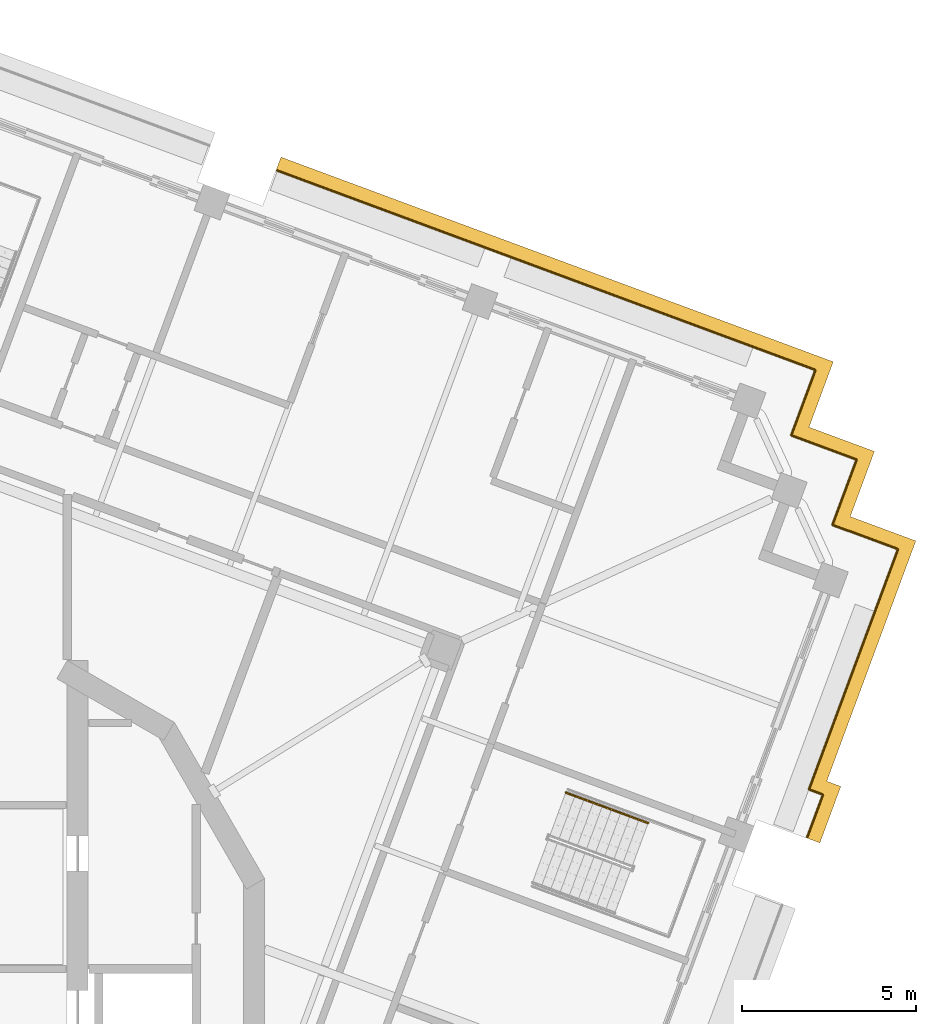
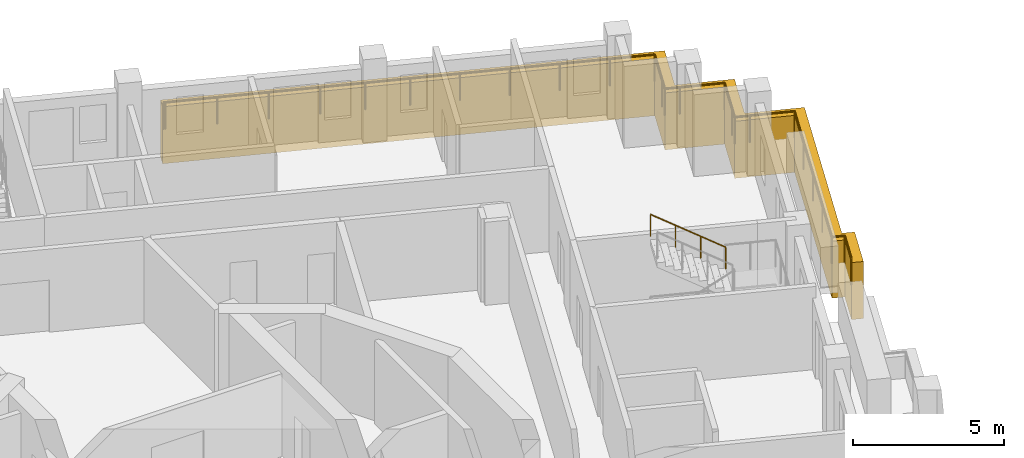
# One storey, part 17 of 18: 3 railings, 1 covering.
"""IFC4 building model written with IfcOpenShell, lengths in metres."""

from ifc_helpers import new_model, si_unit, direction, frame, origin, origin_2d, place, context, subcontext, project, spatial, polyline, circle, outline, extrude, material, type_object, element, save


model = new_model("IFC4")

# Units and contexts
model_context = context("Model", 3, precision=1e-05, world=origin(), true_north=direction((0.0, 1.0)))
body_context = subcontext(model_context, "Body", "Model", "MODEL_VIEW")
ifc_project = project(units=[si_unit("LENGTHUNIT", "METRE"), si_unit("AREAUNIT", "SQUARE_METRE"), si_unit("VOLUMEUNIT", "CUBIC_METRE"), si_unit("PLANEANGLEUNIT", "RADIAN"), si_unit("MASSUNIT", "GRAM", prefix="KILO")], contexts=[model_context])

# Site, building, storey
site_placement = place(None, origin())
site = spatial("IfcSite", under=ifc_project, at=site_placement, CompositionType="ELEMENT")
building_placement = place(site_placement, origin())
building = spatial("IfcBuilding", under=site, at=building_placement, Name="Cantera Rosa Tower", CompositionType="ELEMENT")
storey_placement = place(building_placement, frame((0.0, 0.0, 316.89990234375)))
storey = spatial("IfcBuildingStorey", under=building, at=storey_placement, Name="L70", CompositionType="ELEMENT", Elevation=316.89990234375)

# Railings
ifc_material_1 = material(Name="Stainless steel and laminated glass", Category="steel")
railing_type_1 = type_object("IfcRailingType", Name="GUARD 1100", PredefinedType="BALUSTRADE", material=ifc_material_1)
railing_1_placement = place(storey_placement, frame((26.113525390625, 13.198486328125, 0.0)))
element("IfcRailing", 1, at=railing_1_placement, inside=storey, type_object=railing_type_1, Name="GUARD L70-8", PredefinedType="BALUSTRADE", context=body_context, shape_type="SweptSolid", body=[
    extrude(circle(Radius=0.030029296875, at=origin_2d()), frame((0.0, 0.0, 1.070068359375), z_axis=(-0.347696042931, -0.937607306781, 0.0), x_axis=(0.937607306781, -0.347696042931, 0.0)), (0.0, 0.0, 1.0), 0.5),
    extrude(circle(Radius=0.030029296875, at=origin_2d()), frame((-0.173828125, -0.46875, 1.070068359375), z_axis=(0.937607306781, -0.347696042931, 0.0), x_axis=(0.347696042931, 0.937607306781, 0.0)), (0.0, 0.0, 1.0), 0.5),
    extrude(circle(Radius=0.030029296875, at=origin_2d()), frame((0.294921875, -0.642578125, 1.070068359375), z_axis=(0.378632845721, 0.925546956206, 0.0), x_axis=(-0.925546956206, 0.378632845721, 0.0)), (0.0, 0.0, 1.0), 0.005859375),
    extrude(circle(Radius=0.030029296875, at=origin_2d()), frame((0.297119140625, -0.63720703125, 1.070068359375), z_axis=(0.937688112969, -0.347478060884, 0.0), x_axis=(0.347478060884, 0.937688112969, 0.0)), (0.0, 0.0, 1.0), 1.505615234375),
    extrude(circle(Radius=0.030029296875, at=origin_2d()), frame((1.708984375, -1.160400390625, 1.070068359375), z_axis=(-0.347491761562, -0.93768303581, 0.0), x_axis=(0.93768303581, -0.347491761562, 0.0)), (0.0, 0.0, 1.0), 7.350341796875),
    extrude(circle(Radius=0.030029296875, at=origin_2d()), frame((-0.84521484375, -8.052734375, 1.070068359375), z_axis=(0.937584149048, -0.347758484374, 0.0), x_axis=(0.347758484374, 0.937584149048, 0.0)), (0.0, 0.0, 1.0), 0.4296875),
    extrude(circle(Radius=0.030029296875, at=origin_2d()), frame((-0.4423828125, -8.2021484375, 1.070068359375), z_axis=(-0.347533658579, -0.937667508318, 0.0), x_axis=(0.937667508318, -0.347533658579, 0.0)), (0.0, 0.0, 1.0), 1.30517578125),
    extrude(circle(Radius=0.02490234375, at=origin_2d()), origin(), (0.0, 0.0, 1.0), 1.0400390625),
    extrude(circle(Radius=0.02490234375, at=origin_2d()), frame((-0.173828125, -0.46875, 0.0)), (0.0, 0.0, 1.0), 1.0400390625),
    extrude(circle(Radius=0.02490234375, at=origin_2d()), frame((0.294921875, -0.642578125, 0.0)), (0.0, 0.0, 1.0), 1.0400390625),
    extrude(circle(Radius=0.02490234375, at=origin_2d()), frame((0.297119140625, -0.63720703125, 0.0)), (0.0, 0.0, 1.0), 1.0400390625),
    extrude(circle(Radius=0.02490234375, at=origin_2d()), frame((1.708984375, -1.160400390625, 0.0)), (0.0, 0.0, 1.0), 1.0400390625),
    extrude(circle(Radius=0.02490234375, at=origin_2d()), frame((1.0703125, -2.883544921875, 0.0)), (0.0, 0.0, 1.0), 1.0400390625),
    extrude(circle(Radius=0.02490234375, at=origin_2d()), frame((0.431884765625, -4.6064453125, 0.0)), (0.0, 0.0, 1.0), 1.0400390625),
    extrude(circle(Radius=0.02490234375, at=origin_2d()), frame((-0.20654296875, -6.32958984375, 0.0)), (0.0, 0.0, 1.0), 1.0400390625),
    extrude(circle(Radius=0.02490234375, at=origin_2d()), frame((-0.84521484375, -8.052734375, 0.0)), (0.0, 0.0, 1.0), 1.0400390625),
    extrude(circle(Radius=0.02490234375, at=origin_2d()), frame((-0.4423828125, -8.2021484375, 0.0)), (0.0, 0.0, 1.0), 1.0400390625),
    extrude(circle(Radius=0.02490234375, at=origin_2d()), frame((-0.89599609375, -9.426025390625, 0.0)), (0.0, 0.0, 1.0), 1.0400390625),
])
railing_2_placement = place(storey_placement, frame((10.010498046875, 22.8984375, 0.0)))
element("IfcRailing", 2, at=railing_2_placement, inside=storey, type_object=railing_type_1, Name="GUARD L70-9", PredefinedType="BALUSTRADE", context=body_context, shape_type="SweptSolid", body=[
    extrude(circle(Radius=0.030029296875, at=origin_2d()), frame((0.0, 0.0, 1.070068359375), z_axis=(0.937327749542, -0.348448977525, 0.0), x_axis=(0.348448977525, 0.937327749542, 0.0)), (0.0, 0.0, 1.0), 0.070068359375),
    extrude(circle(Radius=0.030029296875, at=origin_2d()), frame((0.065673828125, -0.0244140625, 1.070068359375), z_axis=(0.937688147358, -0.347477968085, 0.0), x_axis=(0.347477968085, 0.937688147358, 0.0)), (0.0, 0.0, 1.0), 5.199951171875),
    extrude(circle(Radius=0.030029296875, at=origin_2d()), frame((4.941650390625, -1.831298828125, 1.070068359375), z_axis=(0.937680024402, -0.347499887537, 0.0), x_axis=(0.347499887537, 0.937680024402, 0.0)), (0.0, 0.0, 1.0), 3.0),
    extrude(circle(Radius=0.030029296875, at=origin_2d()), frame((7.754638671875, -2.873779296875, 1.070068359375), z_axis=(0.937686328856, -0.347482875373, 0.0), x_axis=(0.347482875373, 0.937686328856, 0.0)), (0.0, 0.0, 1.0), 6.699951171875),
    extrude(circle(Radius=0.030029296875, at=origin_2d()), frame((14.037109375, -5.201904296875, 1.070068359375), z_axis=(0.93769967459, -0.347446859641, 0.0), x_axis=(0.347446859641, 0.93769967459, 0.0)), (0.0, 0.0, 1.0), 1.500244140625),
    extrude(circle(Radius=0.030029296875, at=origin_2d()), frame((15.44384765625, -5.72314453125, 1.070068359375), z_axis=(-0.347499887537, -0.937680024402, 0.0), x_axis=(0.937680024402, -0.347499887537, 0.0)), (0.0, 0.0, 1.0), 1.5),
    extrude(circle(Radius=0.030029296875, at=origin_2d()), frame((14.922607421875, -7.129638671875, 1.070068359375), z_axis=(-0.347696042931, -0.937607306781, 0.0), x_axis=(0.937607306781, -0.347696042931, 0.0)), (0.0, 0.0, 1.0), 0.5),
    extrude(circle(Radius=0.030029296875, at=origin_2d()), frame((14.748779296875, -7.598388671875, 1.070068359375), z_axis=(0.937607306781, -0.347696042931, 0.0), x_axis=(0.347696042931, 0.937607306781, 0.0)), (0.0, 0.0, 1.0), 0.5),
    extrude(circle(Radius=0.030029296875, at=origin_2d()), frame((15.217529296875, -7.772216796875, 1.070068359375), z_axis=(0.93769967459, -0.347446859641, 0.0), x_axis=(0.347446859641, 0.93769967459, 0.0)), (0.0, 0.0, 1.0), 1.500244140625),
    extrude(circle(Radius=0.030029296875, at=origin_2d()), frame((16.624267578125, -8.29345703125, 1.070068359375), z_axis=(-0.347499887537, -0.937680024402, 0.0), x_axis=(0.937680024402, -0.347499887537, 0.0)), (0.0, 0.0, 1.0), 1.5),
    extrude(circle(Radius=0.02490234375, at=origin_2d()), origin(), (0.0, 0.0, 1.0), 1.0400390625),
    extrude(circle(Radius=0.02490234375, at=origin_2d()), frame((0.065673828125, -0.0244140625, 0.0)), (0.0, 0.0, 1.0), 1.0400390625),
    extrude(circle(Radius=0.02490234375, at=origin_2d()), frame((1.69091796875, -0.626708984375, 0.0)), (0.0, 0.0, 1.0), 1.0400390625),
    extrude(circle(Radius=0.02490234375, at=origin_2d()), frame((3.31640625, -1.22900390625, 0.0)), (0.0, 0.0, 1.0), 1.0400390625),
    extrude(circle(Radius=0.02490234375, at=origin_2d()), frame((4.941650390625, -1.831298828125, 0.0)), (0.0, 0.0, 1.0), 1.0400390625),
    extrude(circle(Radius=0.02490234375, at=origin_2d()), frame((6.34814453125, -2.3525390625, 0.0)), (0.0, 0.0, 1.0), 1.0400390625),
    extrude(circle(Radius=0.02490234375, at=origin_2d()), frame((7.754638671875, -2.873779296875, 0.0)), (0.0, 0.0, 1.0), 1.0400390625),
    extrude(circle(Radius=0.02490234375, at=origin_2d()), frame((9.3251953125, -3.455810546875, 0.0)), (0.0, 0.0, 1.0), 1.0400390625),
    extrude(circle(Radius=0.02490234375, at=origin_2d()), frame((10.89599609375, -4.037841796875, 0.0)), (0.0, 0.0, 1.0), 1.0400390625),
    extrude(circle(Radius=0.02490234375, at=origin_2d()), frame((12.466552734375, -4.619873046875, 0.0)), (0.0, 0.0, 1.0), 1.0400390625),
    extrude(circle(Radius=0.02490234375, at=origin_2d()), frame((14.037109375, -5.201904296875, 0.0)), (0.0, 0.0, 1.0), 1.0400390625),
    extrude(circle(Radius=0.02490234375, at=origin_2d()), frame((15.44384765625, -5.72314453125, 0.0)), (0.0, 0.0, 1.0), 1.0400390625),
    extrude(circle(Radius=0.02490234375, at=origin_2d()), frame((14.922607421875, -7.129638671875, 0.0)), (0.0, 0.0, 1.0), 1.0400390625),
    extrude(circle(Radius=0.02490234375, at=origin_2d()), frame((14.748779296875, -7.598388671875, 0.0)), (0.0, 0.0, 1.0), 1.0400390625),
    extrude(circle(Radius=0.02490234375, at=origin_2d()), frame((15.217529296875, -7.772216796875, 0.0)), (0.0, 0.0, 1.0), 1.0400390625),
    extrude(circle(Radius=0.02490234375, at=origin_2d()), frame((16.624267578125, -8.29345703125, 0.0)), (0.0, 0.0, 1.0), 1.0400390625),
    extrude(circle(Radius=0.02490234375, at=origin_2d()), frame((16.10302734375, -9.699951171875, 0.0)), (0.0, 0.0, 1.0), 1.0400390625),
])
ifc_material_2 = material(Name="Steel S355J2 (EN 10025-2)", Category="steel")
railing_type_2 = type_object("IfcRailingType", Name="STAIR HANDRAIL 900", PredefinedType="HANDRAIL", material=ifc_material_2)
railing_3_placement = place(storey_placement, frame((20.660400390625, 4.181396484375, 1.97998046875)))
element("IfcRailing", 3, at=railing_3_placement, inside=storey, type_object=railing_type_2, Name="L70 ST-61 stair handrail 2", PredefinedType="HANDRAIL", context=body_context, shape_type="SweptSolid", body=[
    extrude(circle(Radius=0.02392578125, at=origin_2d()), frame((0.0, 0.0, 0.8759765625), z_axis=(-0.788747577403, 0.292306804437, 0.540771662738), x_axis=(-0.347500508527, -0.937679794265, 0.0)), (0.0, 0.0, 1.0), 2.995849609375),
    extrude(circle(Radius=0.02099609375, at=origin_2d()), origin(), (0.0, 0.0, 1.0), 0.851806640625),
    extrude(circle(Radius=0.02099609375, at=origin_2d()), frame((-0.78759765625, 0.2919921875, 0.5400390625)), (0.0, 0.0, 1.0), 0.851806640625),
    extrude(circle(Radius=0.02099609375, at=origin_2d()), frame((-1.575439453125, 0.583740234375, 1.080078125)), (0.0, 0.0, 1.0), 0.851806640625),
    extrude(circle(Radius=0.02099609375, at=origin_2d()), frame((-2.363037109375, 0.875732421875, 1.6201171875)), (0.0, 0.0, 1.0), 0.851806640625),
])

# Covering
ifc_material_3 = material(Name="Cantera stone", Category="masonry")
covering_type = type_object("IfcCoveringType", Name="TRAY FASCIA 400", PredefinedType="CLADDING", material=ifc_material_3)
covering_placement = place(storey_placement, frame((0.0, 0.0, -1.39990234375)))
element("IfcCovering", 4, at=covering_placement, inside=storey, type_object=covering_type, Name="TRAY FASCIA L70-04", PredefinedType="CLADDING", context=body_context, shape_type="SweptSolid", body=[
    extrude(outline(polyline([(10.215087890625, 23.2490234375), (15.091064453125, 21.442138671875), (17.904296875, 20.39990234375), (24.186767578125, 18.07177734375), (25.96826171875, 17.411376953125), (25.30810546875, 15.6298828125), (25.2734375, 15.5361328125), (25.3671875, 15.501220703125), (27.148681640625, 14.841064453125), (26.488525390625, 13.0595703125), (26.455810546875, 12.97119140625), (28.33642578125, 12.274169921875), (25.782470703125, 5.3818359375), (26.185302734375, 5.232421875), (25.585693359375, 3.61474609375), (25.210693359375, 3.753662109375), (25.671142578125, 4.996337890625), (25.268310546875, 5.145751953125), (27.822509765625, 12.0380859375), (26.41064453125, 12.561279296875), (26.408447265625, 12.555908203125), (25.939697265625, 12.729736328125), (26.113525390625, 13.198486328125), (26.634765625, 14.60498046875), (25.22802734375, 15.126220703125), (24.75927734375, 15.300048828125), (24.93310546875, 15.768798828125), (25.454345703125, 17.17529296875), (24.047607421875, 17.696533203125), (17.76513671875, 20.024658203125), (14.9521484375, 21.067138671875), (10.076171875, 22.8740234375), (9.99169921875, 22.9052734375), (10.130859375, 23.280517578125), (10.215087890625, 23.2490234375)])), origin(), (0.0, 0.0, 1.0), 2.300048828125),
])

save(model, "model.ifc")
